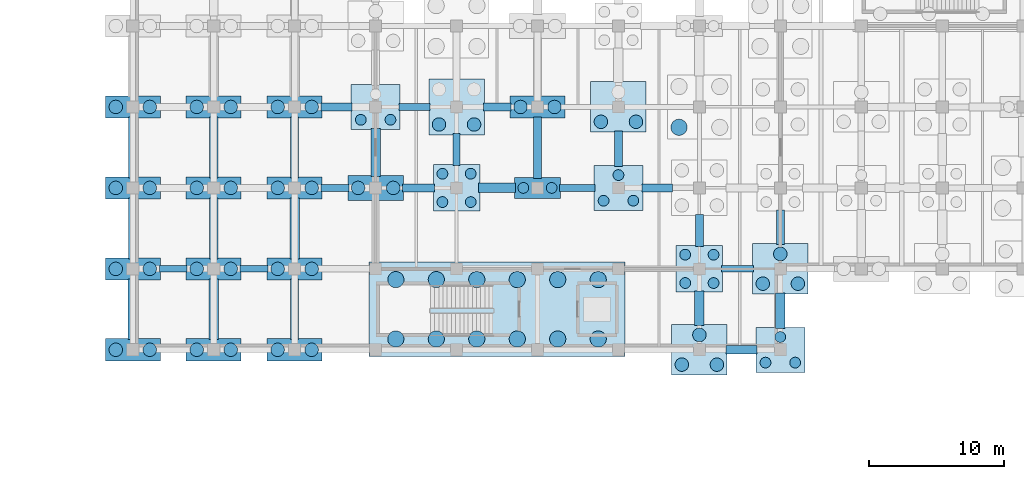
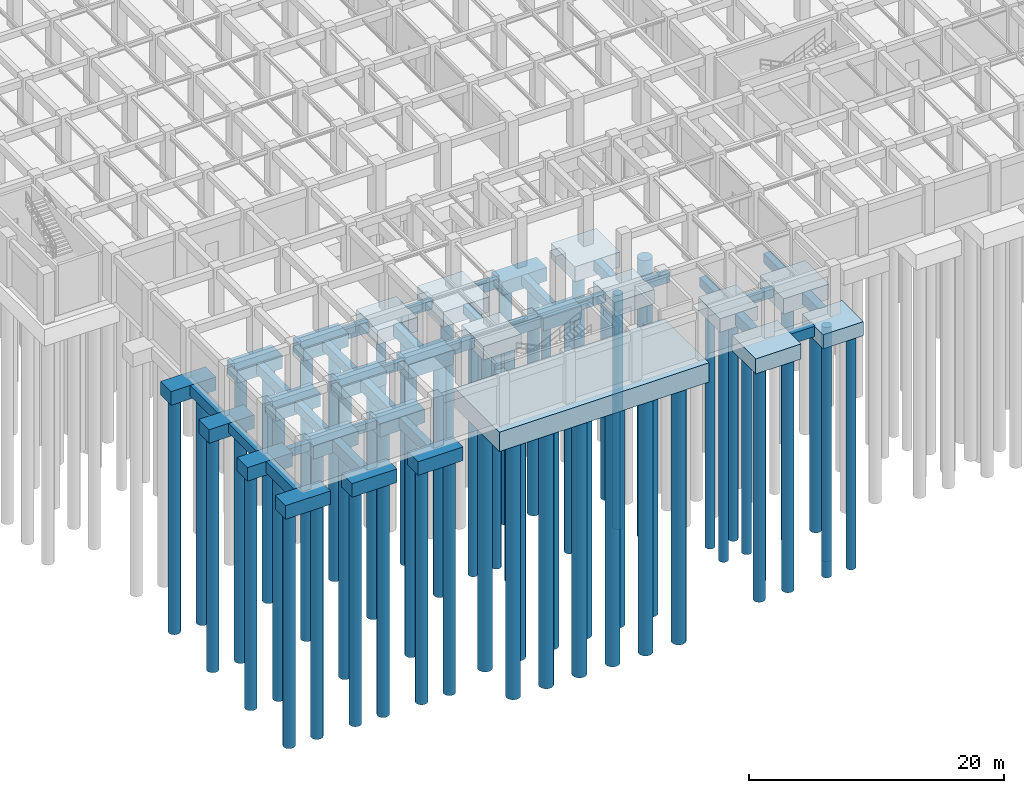
# One storey, part 1 of 54: 69 piles, 54 footings.
"""IFC4 building model written with IfcOpenShell, lengths in metres."""

from ifc_helpers import new_model, si_unit, direction, frame, origin, origin_2d, place, context, subcontext, project, spatial, rectangle, circle, extrude, material, material_profile, profile_set, type_object, element, save


model = new_model("IFC4")

# Units and contexts
model_context = context("Model", 3, precision=1e-05, world=origin(), true_north=direction((0.0, 1.0)))
body_context = subcontext(model_context, "Body", "Model", "MODEL_VIEW")
ifc_project = project(units=[si_unit("LENGTHUNIT", "METRE"), si_unit("AREAUNIT", "SQUARE_METRE"), si_unit("VOLUMEUNIT", "CUBIC_METRE"), si_unit("PLANEANGLEUNIT", "RADIAN"), si_unit("MASSUNIT", "GRAM", prefix="KILO"), si_unit("THERMODYNAMICTEMPERATUREUNIT", "KELVIN"), si_unit("POWERUNIT", "WATT")], contexts=[model_context])

# Site, building, storey
site_placement = place(None, origin())
site = spatial("IfcSite", under=ifc_project, at=site_placement, CompositionType="ELEMENT")
building_placement = place(site_placement, origin())
building = spatial("IfcBuilding", under=site, at=building_placement, Name="Phaisarnlok Congress Hotel", CompositionType="ELEMENT")
storey_placement = place(building_placement, frame((0.0, 0.0, -4.800048828125)))
storey = spatial("IfcBuildingStorey", under=building, at=storey_placement, Name="B01", CompositionType="ELEMENT", Elevation=-4.800048828125)

# Footings
ifc_material_1 = material(Name="Concrete C40/50", Category="concrete")
footing_type_1 = type_object("IfcFootingType", Name="CAP-2P-A", PredefinedType="PILE_CAP", material=ifc_material_1)
footing_1_placement = place(storey_placement, frame((36.0, 24.0, -1.69970703125), z_axis=(0.0, 0.0, 1.0), x_axis=(1.0, 0.0, 0.0)))
element("IfcFooting", 1, at=footing_1_placement, inside=storey, type_object=footing_type_1, Name="Pile cap PC-01 at (36,24)", PredefinedType="PILE_CAP", context=body_context, shape_type="SweptSolid", body=[
    extrude(rectangle(XDim=3.43994140625, YDim=1.5400390625, at=origin_2d()), origin(), (0.0, 0.0, 1.0), 1.199951171875),
])
footing_type_2 = type_object("IfcFootingType", Name="CAP-2P-B", PredefinedType="PILE_CAP", material=ifc_material_1)
for number, where, z_axis, x_axis, name in (
    (2, (6.0, 12.0, -1.7998046875), (0.0, 0.0, 1.0), (1.0, 0.0, 0.0), "Pile cap PC-02 at (6,12)"),
    (3, (6.0, 18.0, -1.7998046875), (0.0, 0.0, 1.0), (1.0, 0.0, 0.0), "Pile cap PC-02 at (6,18)"),
    (4, (6.0, 24.0, -1.7998046875), (0.0, 0.0, 1.0), (1.0, 0.0, 0.0), "Pile cap PC-02 at (6,24)"),
    (5, (6.0, 30.0, -1.7998046875), (0.0, 0.0, 1.0), (1.0, 0.0, 0.0), "Pile cap PC-02 at (6,30)"),
    (6, (12.0, 12.0, -1.7998046875), (0.0, 0.0, 1.0), (1.0, 0.0, 0.0), "Pile cap PC-02 at (12,12)"),
    (7, (12.0, 18.0, -1.7998046875), (0.0, 0.0, 1.0), (1.0, 0.0, 0.0), "Pile cap PC-02 at (12,18)"),
    (8, (12.0, 24.0, -1.7998046875), (0.0, 0.0, 1.0), (1.0, 0.0, 0.0), "Pile cap PC-02 at (12,24)"),
    (9, (12.0, 30.0, -1.7998046875), (0.0, 0.0, 1.0), (1.0, 0.0, 0.0), "Pile cap PC-02 at (12,30)"),
    (10, (18.0, 12.0, -1.7998046875), (0.0, 0.0, 1.0), (1.0, 0.0, 0.0), "Pile cap PC-02 at (18,12)"),
    (11, (18.0, 18.0, -1.7998046875), (0.0, 0.0, 1.0), (1.0, 0.0, 0.0), "Pile cap PC-02 at (18,18)"),
    (12, (18.0, 24.0, -1.7998046875), (0.0, 0.0, 1.0), (1.0, 0.0, 0.0), "Pile cap PC-02 at (18,24)"),
    (13, (18.0, 30.0, -1.7998046875), (0.0, 0.0, 1.0), (1.0, 0.0, 0.0), "Pile cap PC-02 at (18,30)"),
    (14, (36.0, 30.0, -1.7998046875), (0.0, 0.0, 1.0), (1.0, 0.0, 0.0), "Pile cap PC-02 at (36,30)"),
):
    element("IfcFooting", number, at=place(storey_placement, frame(where, z_axis=z_axis, x_axis=x_axis)), inside=storey, type_object=footing_type_2, Name=name, PredefinedType="PILE_CAP", context=body_context, shape_type="SweptSolid", body=[
        extrude(rectangle(XDim=4.080078125, YDim=1.639892578125, at=origin_2d()), origin(), (0.0, 0.0, 1.0), 1.300048828125),
    ])
footing_type_3 = type_object("IfcFootingType", Name="CAP-2P-C", PredefinedType="PILE_CAP", material=ifc_material_1)
footing_2_placement = place(storey_placement, frame((24.0, 24.0, -1.89990234375), z_axis=(0.0, 0.0, 1.0), x_axis=(1.0, 0.0, 0.0)))
element("IfcFooting", 15, at=footing_2_placement, inside=storey, type_object=footing_type_3, Name="Pile cap PC-03 at (24,24)", PredefinedType="PILE_CAP", context=body_context, shape_type="SweptSolid", body=[
    extrude(rectangle(XDim=4.1201171875, YDim=1.840087890625, at=origin_2d()), origin(), (0.0, 0.0, 1.0), 1.39990234375),
])
footing_type_4 = type_object("IfcFootingType", Name="CAP-3P-A", PredefinedType="PILE_CAP", material=ifc_material_1)
for number, where, z_axis, x_axis, name in (
    (16, (24.0, 30.0, -1.85009765625), (0.0, 0.0, 1.0), (1.0, 0.0, 0.0), "Pile cap PC-04 at (24,30)"),
    (17, (42.0, 24.0, -1.85009765625), (0.0, 0.0, 1.0), (1.0, 0.0, 0.0), "Pile cap PC-04 at (42,24)"),
    (18, (54.0, 12.0, -1.85009765625), (0.0, 0.0, 1.0), (1.0, 0.0, 0.0), "Pile cap PC-04 at (54,12)"),
):
    element("IfcFooting", number, at=place(storey_placement, frame(where, z_axis=z_axis, x_axis=x_axis)), inside=storey, type_object=footing_type_4, Name=name, PredefinedType="PILE_CAP", context=body_context, shape_type="SweptSolid", body=[
        extrude(rectangle(XDim=3.639892578125, YDim=3.340087890625, at=origin_2d()), origin(), (0.0, 0.0, 1.0), 1.35009765625),
    ])
footing_type_5 = type_object("IfcFootingType", Name="CAP-3P-B", PredefinedType="PILE_CAP", material=ifc_material_1)
for number, where, z_axis, x_axis, name in (
    (19, (42.0, 30.0, -1.94970703125), (0.0, 0.0, 1.0), (1.0, 0.0, 0.0), "Pile cap PC-05 at (42,30)"),
    (20, (48.0, 12.0, -1.94970703125), (0.0, 0.0, 1.0), (1.0, 0.0, 0.0), "Pile cap PC-05 at (48,12)"),
    (21, (54.0, 18.0, -1.94970703125), (0.0, 0.0, 1.0), (1.0, 0.0, 0.0), "Pile cap PC-05 at (54,18)"),
):
    element("IfcFooting", number, at=place(storey_placement, frame(where, z_axis=z_axis, x_axis=x_axis)), inside=storey, type_object=footing_type_5, Name=name, PredefinedType="PILE_CAP", context=body_context, shape_type="SweptSolid", body=[
        extrude(rectangle(XDim=4.1201171875, YDim=3.739990234375, at=origin_2d()), origin(), (0.0, 0.0, 1.0), 1.449951171875),
    ])
footing_type_6 = type_object("IfcFootingType", Name="CAP-4P-A", PredefinedType="PILE_CAP", material=ifc_material_1)
for number, where, z_axis, x_axis, name in (
    (22, (30.0, 24.0, -1.7998046875), (0.0, 0.0, 1.0), (1.0, 0.0, 0.0), "Pile cap PC-06 at (30,24)"),
    (23, (48.0, 18.0, -1.7998046875), (0.0, 0.0, 1.0), (1.0, 0.0, 0.0), "Pile cap PC-06 at (48,18)"),
):
    element("IfcFooting", number, at=place(storey_placement, frame(where, z_axis=z_axis, x_axis=x_axis)), inside=storey, type_object=footing_type_6, Name=name, PredefinedType="PILE_CAP", context=body_context, shape_type="SweptSolid", body=[
        extrude(rectangle(XDim=3.43994140625, YDim=3.43994140625, at=origin_2d()), origin(), (0.0, 0.0, 1.0), 1.300048828125),
    ])
footing_type_7 = type_object("IfcFootingType", Name="CAP-4P-B", PredefinedType="PILE_CAP", material=ifc_material_1)
footing_3_placement = place(storey_placement, frame((30.0, 30.0, -1.94970703125), z_axis=(0.0, 0.0, 1.0), x_axis=(1.0, 0.0, 0.0)))
element("IfcFooting", 24, at=footing_3_placement, inside=storey, type_object=footing_type_7, Name="Pile cap PC-07 at (30,30)", PredefinedType="PILE_CAP", context=body_context, shape_type="SweptSolid", body=[
    extrude(rectangle(XDim=4.1201171875, YDim=4.1201171875, at=origin_2d()), origin(), (0.0, 0.0, 1.0), 1.449951171875),
])
footing_type_8 = type_object("IfcFootingType", Name="CAP-CORE-H", PredefinedType="PILE_CAP", material=ifc_material_1)
footing_4_placement = place(storey_placement, frame((33.0, 15.0, -2.35009765625), z_axis=(0.0, 0.0, 1.0), x_axis=(1.0, 0.0, 0.0)))
element("IfcFooting", 25, at=footing_4_placement, inside=storey, type_object=footing_type_8, Name="Stair core pile cap PC-15 (STAIR-MRT)", PredefinedType="PILE_CAP", context=body_context, shape_type="SweptSolid", body=[
    extrude(rectangle(XDim=19.0, YDim=7.0, at=origin_2d()), origin(), (0.0, 0.0, 1.0), 1.85009765625),
])
ifc_material_profile_1 = material_profile(ifc_material_1, rectangle(XDim=0.5, YDim=0.800048828125, at=origin_2d()), Name="FB-500x800")
ifc_profile_set_1 = profile_set([ifc_material_profile_1], Name="Concrete C40/50")
footing_type_9 = type_object("IfcFootingType", Name="FB-500x800", PredefinedType="FOOTING_BEAM", material=ifc_profile_set_1)
for number, where, z_axis, x_axis, name in (
    (26, (7.965087890625, 18.0, -0.89990234375), (1.0, 0.0, 0.0), (0.0, 1.0, 0.0), "Ground tie beam FB-01"),
    (27, (13.965087890625, 18.0, -0.89990234375), (1.0, 0.0, 0.0), (0.0, 1.0, 0.0), "Ground tie beam FB-01"),
):
    element("IfcFooting", number, at=place(storey_placement, frame(where, z_axis=z_axis, x_axis=x_axis)), inside=storey, type_object=footing_type_9, Name=name, PredefinedType="FOOTING_BEAM", context=body_context, shape_type="SweptSolid", body=[
        extrude(rectangle(XDim=0.5, YDim=0.800048828125, at=origin_2d()), origin(), (0.0, 0.0, 1.0), 2.06982421875),
    ])
footing_5_placement = place(storey_placement, frame((19.965087890625, 24.0, -0.89990234375), z_axis=(1.0, 0.0, 0.0), x_axis=(0.0, 1.0, 0.0)))
element("IfcFooting", 28, at=footing_5_placement, inside=storey, type_object=footing_type_9, Name="Ground tie beam FB-01", PredefinedType="FOOTING_BEAM", context=body_context, shape_type="SweptSolid", body=[
    extrude(rectangle(XDim=0.5, YDim=0.800048828125, at=origin_2d()), origin(), (0.0, 0.0, 1.0), 2.0498046875),
])
footing_6_placement = place(storey_placement, frame((25.7451171875, 30.0, -0.89990234375), z_axis=(1.0, 0.0, 0.0), x_axis=(0.0, 1.0, 0.0)))
element("IfcFooting", 29, at=footing_6_placement, inside=storey, type_object=footing_type_9, Name="Ground tie beam FB-01", PredefinedType="FOOTING_BEAM", context=body_context, shape_type="SweptSolid", body=[
    extrude(rectangle(XDim=0.5, YDim=0.800048828125, at=origin_2d()), origin(), (0.0, 0.0, 1.0), 2.269775390625),
])
footing_7_placement = place(storey_placement, frame((30.0, 25.64501953125, -0.89990234375), z_axis=(0.0, 1.0, 0.0), x_axis=(-1.0, 0.0, 0.0)))
element("IfcFooting", 30, at=footing_7_placement, inside=storey, type_object=footing_type_9, Name="Ground tie beam FB-01", PredefinedType="FOOTING_BEAM", context=body_context, shape_type="SweptSolid", body=[
    extrude(rectangle(XDim=0.5, YDim=0.800048828125, at=origin_2d()), origin(), (0.0, 0.0, 1.0), 2.369873046875),
])
footing_8_placement = place(storey_placement, frame((37.64501953125, 24.0, -0.89990234375), z_axis=(1.0, 0.0, 0.0), x_axis=(0.0, 1.0, 0.0)))
element("IfcFooting", 31, at=footing_8_placement, inside=storey, type_object=footing_type_9, Name="Ground tie beam FB-01", PredefinedType="FOOTING_BEAM", context=body_context, shape_type="SweptSolid", body=[
    extrude(rectangle(XDim=0.5, YDim=0.800048828125, at=origin_2d()), origin(), (0.0, 0.0, 1.0), 2.60986328125),
])
footing_9_placement = place(storey_placement, frame((49.64501953125, 18.0, -0.89990234375), z_axis=(1.0, 0.0, 0.0), x_axis=(0.0, 1.0, 0.0)))
element("IfcFooting", 32, at=footing_9_placement, inside=storey, type_object=footing_type_9, Name="Ground tie beam FB-01", PredefinedType="FOOTING_BEAM", context=body_context, shape_type="SweptSolid", body=[
    extrude(rectangle(XDim=0.5, YDim=0.800048828125, at=origin_2d()), origin(), (0.0, 0.0, 1.0), 2.369873046875),
])
ifc_material_profile_2 = material_profile(ifc_material_1, rectangle(XDim=0.60009765625, YDim=1.0, at=origin_2d()), Name="FB-600x1000")
ifc_profile_set_2 = profile_set([ifc_material_profile_2], Name="Concrete C40/50")
footing_type_10 = type_object("IfcFootingType", Name="FB-600x1000", PredefinedType="FOOTING_BEAM", material=ifc_profile_set_2)
for number, where, z_axis, x_axis, name in (
    (33, (6.0, 24.7451171875, -1.0), (0.0, 1.0, 0.0), (-1.0, 0.0, 0.0), "Ground tie beam FB-03"),
    (34, (12.0, 24.7451171875, -1.0), (0.0, 1.0, 0.0), (-1.0, 0.0, 0.0), "Ground tie beam FB-03"),
    (35, (18.0, 12.7451171875, -1.0), (0.0, 1.0, 0.0), (-1.0, 0.0, 0.0), "Ground tie beam FB-03"),
):
    element("IfcFooting", number, at=place(storey_placement, frame(where, z_axis=z_axis, x_axis=x_axis)), inside=storey, type_object=footing_type_10, Name=name, PredefinedType="FOOTING_BEAM", context=body_context, shape_type="SweptSolid", body=[
        extrude(rectangle(XDim=0.60009765625, YDim=1.0, at=origin_2d()), origin(), (0.0, 0.0, 1.0), 4.509765625),
    ])
footing_10_placement = place(storey_placement, frame((19.965087890625, 30.0, -1.0), z_axis=(1.0, 0.0, 0.0), x_axis=(0.0, 1.0, 0.0)))
element("IfcFooting", 36, at=footing_10_placement, inside=storey, type_object=footing_type_10, Name="Ground tie beam FB-03", PredefinedType="FOOTING_BEAM", context=body_context, shape_type="SweptSolid", body=[
    extrude(rectangle(XDim=0.60009765625, YDim=1.0, at=origin_2d()), origin(), (0.0, 0.0, 1.0), 2.289794921875),
])
footing_11_placement = place(storey_placement, frame((25.985107421875, 24.0, -1.0), z_axis=(1.0, 0.0, 0.0), x_axis=(0.0, 1.0, 0.0)))
element("IfcFooting", 37, at=footing_11_placement, inside=storey, type_object=footing_type_10, Name="Ground tie beam FB-03", PredefinedType="FOOTING_BEAM", context=body_context, shape_type="SweptSolid", body=[
    extrude(rectangle(XDim=0.60009765625, YDim=1.0, at=origin_2d()), origin(), (0.0, 0.0, 1.0), 2.369873046875),
])
footing_12_placement = place(storey_placement, frame((42.0, 25.594970703125, -1.0), z_axis=(0.0, 1.0, 0.0), x_axis=(-1.0, 0.0, 0.0)))
element("IfcFooting", 38, at=footing_12_placement, inside=storey, type_object=footing_type_10, Name="Ground tie beam FB-03", PredefinedType="FOOTING_BEAM", context=body_context, shape_type="SweptSolid", body=[
    extrude(rectangle(XDim=0.60009765625, YDim=1.0, at=origin_2d()), origin(), (0.0, 0.0, 1.0), 2.610107421875),
])
footing_13_placement = place(storey_placement, frame((49.985107421875, 12.0, -1.0), z_axis=(1.0, 0.0, 0.0), x_axis=(0.0, 1.0, 0.0)))
element("IfcFooting", 39, at=footing_13_placement, inside=storey, type_object=footing_type_10, Name="Ground tie beam FB-03", PredefinedType="FOOTING_BEAM", context=body_context, shape_type="SweptSolid", body=[
    extrude(rectangle(XDim=0.60009765625, YDim=1.0, at=origin_2d()), origin(), (0.0, 0.0, 1.0), 2.269775390625),
])
ifc_material_profile_3 = material_profile(ifc_material_1, rectangle(XDim=0.60009765625, YDim=0.89990234375, at=origin_2d()), Name="FB-600x900")
ifc_profile_set_3 = profile_set([ifc_material_profile_3], Name="Concrete C40/50")
footing_type_11 = type_object("IfcFootingType", Name="FB-600x900", PredefinedType="FOOTING_BEAM", material=ifc_profile_set_3)
for number, where, z_axis, x_axis, name in (
    (40, (6.0, 18.7451171875, -0.949951171875), (0.0, 1.0, 0.0), (-1.0, 0.0, 0.0), "Ground tie beam FB-02"),
    (41, (12.0, 18.7451171875, -0.949951171875), (0.0, 1.0, 0.0), (-1.0, 0.0, 0.0), "Ground tie beam FB-02"),
    (42, (18.0, 24.7451171875, -0.949951171875), (0.0, 1.0, 0.0), (-1.0, 0.0, 0.0), "Ground tie beam FB-02"),
):
    element("IfcFooting", number, at=place(storey_placement, frame(where, z_axis=z_axis, x_axis=x_axis)), inside=storey, type_object=footing_type_11, Name=name, PredefinedType="FOOTING_BEAM", context=body_context, shape_type="SweptSolid", body=[
        extrude(rectangle(XDim=0.60009765625, YDim=0.89990234375, at=origin_2d()), origin(), (0.0, 0.0, 1.0), 4.509765625),
    ])
footing_14_placement = place(storey_placement, frame((31.985107421875, 30.0, -0.949951171875), z_axis=(1.0, 0.0, 0.0), x_axis=(0.0, 1.0, 0.0)))
element("IfcFooting", 43, at=footing_14_placement, inside=storey, type_object=footing_type_11, Name="Ground tie beam FB-02", PredefinedType="FOOTING_BEAM", context=body_context, shape_type="SweptSolid", body=[
    extrude(rectangle(XDim=0.60009765625, YDim=0.89990234375, at=origin_2d()), origin(), (0.0, 0.0, 1.0), 2.0498046875),
])
footing_15_placement = place(storey_placement, frame((36.0, 24.695068359375, -0.949951171875), z_axis=(0.0, 1.0, 0.0), x_axis=(-1.0, 0.0, 0.0)))
element("IfcFooting", 44, at=footing_15_placement, inside=storey, type_object=footing_type_11, Name="Ground tie beam FB-02", PredefinedType="FOOTING_BEAM", context=body_context, shape_type="SweptSolid", body=[
    extrude(rectangle(XDim=0.60009765625, YDim=0.89990234375, at=origin_2d()), origin(), (0.0, 0.0, 1.0), 4.559814453125),
])
footing_16_placement = place(storey_placement, frame((43.7451171875, 24.0, -0.949951171875), z_axis=(1.0, 0.0, 0.0), x_axis=(0.0, 1.0, 0.0)))
element("IfcFooting", 45, at=footing_16_placement, inside=storey, type_object=footing_type_11, Name="Ground tie beam FB-02", PredefinedType="FOOTING_BEAM", context=body_context, shape_type="SweptSolid", body=[
    extrude(rectangle(XDim=0.60009765625, YDim=0.89990234375, at=origin_2d()), origin(), (0.0, 0.0, 1.0), 2.269775390625),
])
footing_17_placement = place(storey_placement, frame((48.0, 19.64501953125, -0.949951171875), z_axis=(0.0, 1.0, 0.0), x_axis=(-1.0, 0.0, 0.0)))
element("IfcFooting", 46, at=footing_17_placement, inside=storey, type_object=footing_type_11, Name="Ground tie beam FB-02", PredefinedType="FOOTING_BEAM", context=body_context, shape_type="SweptSolid", body=[
    extrude(rectangle(XDim=0.60009765625, YDim=0.89990234375, at=origin_2d()), origin(), (0.0, 0.0, 1.0), 2.369873046875),
])
footing_18_placement = place(storey_placement, frame((54.0, 19.794921875, -0.949951171875), z_axis=(0.0, 1.0, 0.0), x_axis=(-1.0, 0.0, 0.0)))
element("IfcFooting", 47, at=footing_18_placement, inside=storey, type_object=footing_type_11, Name="Ground tie beam FB-02", PredefinedType="FOOTING_BEAM", context=body_context, shape_type="SweptSolid", body=[
    extrude(rectangle(XDim=0.60009765625, YDim=0.89990234375, at=origin_2d()), origin(), (0.0, 0.0, 1.0), 2.56005859375),
])
ifc_material_profile_4 = material_profile(ifc_material_1, rectangle(XDim=0.699951171875, YDim=1.10009765625, at=origin_2d()), Name="FB-700x1100")
ifc_profile_set_4 = profile_set([ifc_material_profile_4], Name="Concrete C40/50")
footing_type_12 = type_object("IfcFootingType", Name="FB-700x1100", PredefinedType="FOOTING_BEAM", material=ifc_profile_set_4)
for number, where, z_axis, x_axis, name in (
    (48, (6.0, 12.7451171875, -1.050048828125), (0.0, 1.0, 0.0), (-1.0, 0.0, 0.0), "Ground tie beam FB-04"),
    (49, (12.0, 12.7451171875, -1.050048828125), (0.0, 1.0, 0.0), (-1.0, 0.0, 0.0), "Ground tie beam FB-04"),
    (50, (18.0, 18.7451171875, -1.050048828125), (0.0, 1.0, 0.0), (-1.0, 0.0, 0.0), "Ground tie beam FB-04"),
):
    element("IfcFooting", number, at=place(storey_placement, frame(where, z_axis=z_axis, x_axis=x_axis)), inside=storey, type_object=footing_type_12, Name=name, PredefinedType="FOOTING_BEAM", context=body_context, shape_type="SweptSolid", body=[
        extrude(rectangle(XDim=0.699951171875, YDim=1.10009765625, at=origin_2d()), origin(), (0.0, 0.0, 1.0), 4.509765625),
    ])
footing_19_placement = place(storey_placement, frame((24.0, 24.844970703125, -1.050048828125), z_axis=(0.0, 1.0, 0.0), x_axis=(-1.0, 0.0, 0.0)))
element("IfcFooting", 51, at=footing_19_placement, inside=storey, type_object=footing_type_12, Name="Ground tie beam FB-04", PredefinedType="FOOTING_BEAM", context=body_context, shape_type="SweptSolid", body=[
    extrude(rectangle(XDim=0.699951171875, YDim=1.10009765625, at=origin_2d()), origin(), (0.0, 0.0, 1.0), 3.56005859375),
])
footing_20_placement = place(storey_placement, frame((31.64501953125, 24.0, -1.050048828125), z_axis=(1.0, 0.0, 0.0), x_axis=(0.0, 1.0, 0.0)))
element("IfcFooting", 52, at=footing_20_placement, inside=storey, type_object=footing_type_12, Name="Ground tie beam FB-04", PredefinedType="FOOTING_BEAM", context=body_context, shape_type="SweptSolid", body=[
    extrude(rectangle(XDim=0.699951171875, YDim=1.10009765625, at=origin_2d()), origin(), (0.0, 0.0, 1.0), 2.7099609375),
])
footing_21_placement = place(storey_placement, frame((48.0, 13.794921875, -1.050048828125), z_axis=(0.0, 1.0, 0.0), x_axis=(-1.0, 0.0, 0.0)))
element("IfcFooting", 53, at=footing_21_placement, inside=storey, type_object=footing_type_12, Name="Ground tie beam FB-04", PredefinedType="FOOTING_BEAM", context=body_context, shape_type="SweptSolid", body=[
    extrude(rectangle(XDim=0.699951171875, YDim=1.10009765625, at=origin_2d()), origin(), (0.0, 0.0, 1.0), 2.56005859375),
])
footing_22_placement = place(storey_placement, frame((54.0, 13.594970703125, -1.050048828125), z_axis=(0.0, 1.0, 0.0), x_axis=(-1.0, 0.0, 0.0)))
element("IfcFooting", 54, at=footing_22_placement, inside=storey, type_object=footing_type_12, Name="Ground tie beam FB-04", PredefinedType="FOOTING_BEAM", context=body_context, shape_type="SweptSolid", body=[
    extrude(rectangle(XDim=0.699951171875, YDim=1.10009765625, at=origin_2d()), origin(), (0.0, 0.0, 1.0), 2.610107421875),
])

# Piles
ifc_material_2 = material(Name="Concrete C35/45", Category="concrete")
ifc_material_profile_5 = material_profile(ifc_material_2, circle(Radius=0.5, at=origin_2d()), Name="BORED PILE D1000")
ifc_profile_set_5 = profile_set([ifc_material_profile_5], Name="Concrete C35/45")
pile_type_1 = type_object("IfcPileType", Name="PILE-D1000", PredefinedType="BORED", material=ifc_profile_set_5)
for number, where, z_axis, x_axis, name in (
    (55, (4.739990234375, 12.0, -1.699951171875), (0.0, 0.0, -1.0), (1.0, 0.0, 0.0), "Bored pile PL-02 (FTG-B01-006-012-1)"),
    (56, (7.260009765625, 12.0, -1.699951171875), (0.0, 0.0, -1.0), (1.0, 0.0, 0.0), "Bored pile PL-02 (FTG-B01-006-012-2)"),
    (57, (4.739990234375, 18.0, -1.699951171875), (0.0, 0.0, -1.0), (1.0, 0.0, 0.0), "Bored pile PL-02 (FTG-B01-006-018-1)"),
    (58, (7.260009765625, 18.0, -1.699951171875), (0.0, 0.0, -1.0), (1.0, 0.0, 0.0), "Bored pile PL-02 (FTG-B01-006-018-2)"),
    (59, (4.739990234375, 24.0, -1.699951171875), (0.0, 0.0, -1.0), (1.0, 0.0, 0.0), "Bored pile PL-02 (FTG-B01-006-024-1)"),
    (60, (7.260009765625, 24.0, -1.699951171875), (0.0, 0.0, -1.0), (1.0, 0.0, 0.0), "Bored pile PL-02 (FTG-B01-006-024-2)"),
    (61, (4.739990234375, 30.0, -1.699951171875), (0.0, 0.0, -1.0), (1.0, 0.0, 0.0), "Bored pile PL-02 (FTG-B01-006-030-1)"),
    (62, (7.260009765625, 30.0, -1.699951171875), (0.0, 0.0, -1.0), (1.0, 0.0, 0.0), "Bored pile PL-02 (FTG-B01-006-030-2)"),
    (63, (10.739990234375, 12.0, -1.699951171875), (0.0, 0.0, -1.0), (1.0, 0.0, 0.0), "Bored pile PL-02 (FTG-B01-012-012-1)"),
    (64, (13.260009765625, 12.0, -1.699951171875), (0.0, 0.0, -1.0), (1.0, 0.0, 0.0), "Bored pile PL-02 (FTG-B01-012-012-2)"),
    (65, (10.739990234375, 18.0, -1.699951171875), (0.0, 0.0, -1.0), (1.0, 0.0, 0.0), "Bored pile PL-02 (FTG-B01-012-018-1)"),
    (66, (13.260009765625, 18.0, -1.699951171875), (0.0, 0.0, -1.0), (1.0, 0.0, 0.0), "Bored pile PL-02 (FTG-B01-012-018-2)"),
    (67, (10.739990234375, 24.0, -1.699951171875), (0.0, 0.0, -1.0), (1.0, 0.0, 0.0), "Bored pile PL-02 (FTG-B01-012-024-1)"),
    (68, (13.260009765625, 24.0, -1.699951171875), (0.0, 0.0, -1.0), (1.0, 0.0, 0.0), "Bored pile PL-02 (FTG-B01-012-024-2)"),
    (69, (10.739990234375, 30.0, -1.699951171875), (0.0, 0.0, -1.0), (1.0, 0.0, 0.0), "Bored pile PL-02 (FTG-B01-012-030-1)"),
    (70, (13.260009765625, 30.0, -1.699951171875), (0.0, 0.0, -1.0), (1.0, 0.0, 0.0), "Bored pile PL-02 (FTG-B01-012-030-2)"),
    (71, (16.739990234375, 12.0, -1.699951171875), (0.0, 0.0, -1.0), (1.0, 0.0, 0.0), "Bored pile PL-02 (FTG-B01-018-012-1)"),
    (72, (19.260009765625, 12.0, -1.699951171875), (0.0, 0.0, -1.0), (1.0, 0.0, 0.0), "Bored pile PL-02 (FTG-B01-018-012-2)"),
    (73, (16.739990234375, 18.0, -1.699951171875), (0.0, 0.0, -1.0), (1.0, 0.0, 0.0), "Bored pile PL-02 (FTG-B01-018-018-1)"),
    (74, (19.260009765625, 18.0, -1.699951171875), (0.0, 0.0, -1.0), (1.0, 0.0, 0.0), "Bored pile PL-02 (FTG-B01-018-018-2)"),
    (75, (16.739990234375, 24.0, -1.699951171875), (0.0, 0.0, -1.0), (1.0, 0.0, 0.0), "Bored pile PL-02 (FTG-B01-018-024-1)"),
    (76, (19.260009765625, 24.0, -1.699951171875), (0.0, 0.0, -1.0), (1.0, 0.0, 0.0), "Bored pile PL-02 (FTG-B01-018-024-2)"),
    (77, (16.739990234375, 30.0, -1.699951171875), (0.0, 0.0, -1.0), (1.0, 0.0, 0.0), "Bored pile PL-02 (FTG-B01-018-030-1)"),
    (78, (19.260009765625, 30.0, -1.699951171875), (0.0, 0.0, -1.0), (1.0, 0.0, 0.0), "Bored pile PL-02 (FTG-B01-018-030-2)"),
):
    element("IfcPile", number, at=place(storey_placement, frame(where, z_axis=z_axis, x_axis=x_axis)), inside=storey, type_object=pile_type_1, Name=name, PredefinedType="BORED", context=body_context, shape_type="SweptSolid", body=[
        extrude(circle(Radius=0.5, at=origin_2d()), origin(), (0.0, 0.0, 1.0), 22.5),
    ])
for number, where, z_axis, x_axis, name in (
    (79, (22.699951171875, 24.0, -1.800048828125), (0.0, 0.0, -1.0), (1.0, 0.0, 0.0), "Bored pile PL-02 (FTG-B01-024-024-1)"),
    (80, (25.300048828125, 24.0, -1.800048828125), (0.0, 0.0, -1.0), (1.0, 0.0, 0.0), "Bored pile PL-02 (FTG-B01-024-024-2)"),
):
    element("IfcPile", number, at=place(storey_placement, frame(where, z_axis=z_axis, x_axis=x_axis)), inside=storey, type_object=pile_type_1, Name=name, PredefinedType="BORED", context=body_context, shape_type="SweptSolid", body=[
        extrude(circle(Radius=0.5, at=origin_2d()), origin(), (0.0, 0.0, 1.0), 22.39990234375),
    ])
for number, where, z_axis, x_axis, name in (
    (81, (28.699951171875, 28.699951171875, -1.849853515625), (0.0, 0.0, -1.0), (1.0, 0.0, 0.0), "Bored pile PL-02 (FTG-B01-030-030-1)"),
    (82, (31.300048828125, 28.699951171875, -1.849853515625), (0.0, 0.0, -1.0), (1.0, 0.0, 0.0), "Bored pile PL-02 (FTG-B01-030-030-2)"),
):
    element("IfcPile", number, at=place(storey_placement, frame(where, z_axis=z_axis, x_axis=x_axis)), inside=storey, type_object=pile_type_1, Name=name, PredefinedType="BORED", context=body_context, shape_type="SweptSolid", body=[
        extrude(circle(Radius=0.5, at=origin_2d()), origin(), (0.0, 0.0, 1.0), 22.35009765625),
    ])
for number, where, z_axis, x_axis, name in (
    (83, (34.739990234375, 30.0, -1.699951171875), (0.0, 0.0, -1.0), (1.0, 0.0, 0.0), "Bored pile PL-02 (FTG-B01-036-030-1)"),
    (84, (37.260009765625, 30.0, -1.699951171875), (0.0, 0.0, -1.0), (1.0, 0.0, 0.0), "Bored pile PL-02 (FTG-B01-036-030-2)"),
):
    element("IfcPile", number, at=place(storey_placement, frame(where, z_axis=z_axis, x_axis=x_axis)), inside=storey, type_object=pile_type_1, Name=name, PredefinedType="BORED", context=body_context, shape_type="SweptSolid", body=[
        extrude(circle(Radius=0.5, at=origin_2d()), origin(), (0.0, 0.0, 1.0), 22.5),
    ])
for number, where, z_axis, x_axis, name in (
    (85, (40.699951171875, 28.89990234375, -1.849853515625), (0.0, 0.0, -1.0), (1.0, 0.0, 0.0), "Bored pile PL-02 (FTG-B01-042-030-1)"),
    (86, (43.300048828125, 28.89990234375, -1.849853515625), (0.0, 0.0, -1.0), (1.0, 0.0, 0.0), "Bored pile PL-02 (FTG-B01-042-030-2)"),
    (87, (46.699951171875, 10.89990234375, -1.849853515625), (0.0, 0.0, -1.0), (1.0, 0.0, 0.0), "Bored pile PL-02 (FTG-B01-048-012-1)"),
    (88, (49.300048828125, 10.89990234375, -1.849853515625), (0.0, 0.0, -1.0), (1.0, 0.0, 0.0), "Bored pile PL-02 (FTG-B01-048-012-2)"),
    (89, (48.0, 13.10009765625, -1.849853515625), (0.0, 0.0, -1.0), (1.0, 0.0, 0.0), "Bored pile PL-02 (FTG-B01-048-012-3)"),
    (90, (52.699951171875, 16.89990234375, -1.849853515625), (0.0, 0.0, -1.0), (1.0, 0.0, 0.0), "Bored pile PL-02 (FTG-B01-054-018-1)"),
    (91, (55.300048828125, 16.89990234375, -1.849853515625), (0.0, 0.0, -1.0), (1.0, 0.0, 0.0), "Bored pile PL-02 (FTG-B01-054-018-2)"),
    (92, (54.0, 19.10009765625, -1.849853515625), (0.0, 0.0, -1.0), (1.0, 0.0, 0.0), "Bored pile PL-02 (FTG-B01-054-018-3)"),
):
    element("IfcPile", number, at=place(storey_placement, frame(where, z_axis=z_axis, x_axis=x_axis)), inside=storey, type_object=pile_type_1, Name=name, PredefinedType="BORED", context=body_context, shape_type="SweptSolid", body=[
        extrude(circle(Radius=0.5, at=origin_2d()), origin(), (0.0, 0.0, 1.0), 22.35009765625),
    ])
ifc_material_profile_6 = material_profile(ifc_material_2, circle(Radius=0.60009765625, at=origin_2d()), Name="BORED PILE D1200")
ifc_profile_set_6 = profile_set([ifc_material_profile_6], Name="Concrete C35/45")
pile_type_2 = type_object("IfcPileType", Name="PILE-D1200", PredefinedType="BORED", material=ifc_profile_set_6)
for number, where, z_axis, x_axis, name in (
    (93, (25.5, 12.800048828125, -2.25), (0.0, 0.0, -1.0), (1.0, 0.0, 0.0), "Bored pile PL-03 (STAIR-MRT-01)"),
    (94, (25.5, 17.199951171875, -2.25), (0.0, 0.0, -1.0), (1.0, 0.0, 0.0), "Bored pile PL-03 (STAIR-MRT-02)"),
    (95, (28.5, 12.800048828125, -2.25), (0.0, 0.0, -1.0), (1.0, 0.0, 0.0), "Bored pile PL-03 (STAIR-MRT-03)"),
    (96, (28.5, 17.199951171875, -2.25), (0.0, 0.0, -1.0), (1.0, 0.0, 0.0), "Bored pile PL-03 (STAIR-MRT-04)"),
    (97, (31.5, 12.800048828125, -2.25), (0.0, 0.0, -1.0), (1.0, 0.0, 0.0), "Bored pile PL-03 (STAIR-MRT-05)"),
    (98, (31.5, 17.199951171875, -2.25), (0.0, 0.0, -1.0), (1.0, 0.0, 0.0), "Bored pile PL-03 (STAIR-MRT-06)"),
    (99, (34.5, 12.800048828125, -2.25), (0.0, 0.0, -1.0), (1.0, 0.0, 0.0), "Bored pile PL-03 (STAIR-MRT-07)"),
    (100, (34.5, 17.199951171875, -2.25), (0.0, 0.0, -1.0), (1.0, 0.0, 0.0), "Bored pile PL-03 (STAIR-MRT-08)"),
    (101, (37.5, 12.800048828125, -2.25), (0.0, 0.0, -1.0), (1.0, 0.0, 0.0), "Bored pile PL-03 (STAIR-MRT-09)"),
    (102, (37.5, 17.199951171875, -2.25), (0.0, 0.0, -1.0), (1.0, 0.0, 0.0), "Bored pile PL-03 (STAIR-MRT-10)"),
    (103, (40.5, 12.800048828125, -2.25), (0.0, 0.0, -1.0), (1.0, 0.0, 0.0), "Bored pile PL-03 (STAIR-MRT-11)"),
    (104, (40.5, 17.199951171875, -2.25), (0.0, 0.0, -1.0), (1.0, 0.0, 0.0), "Bored pile PL-03 (STAIR-MRT-12)"),
):
    element("IfcPile", number, at=place(storey_placement, frame(where, z_axis=z_axis, x_axis=x_axis)), inside=storey, type_object=pile_type_2, Name=name, PredefinedType="BORED", context=body_context, shape_type="SweptSolid", body=[
        extrude(circle(Radius=0.60009765625, at=origin_2d()), origin(), (0.0, 0.0, 1.0), 24.949951171875),
    ])
pile_placement = place(storey_placement, frame((46.489990234375, 28.489990234375, -2.0), z_axis=(0.0, 0.0, -1.0), x_axis=(1.0, 0.0, 0.0)))
element("IfcPile", 105, at=pile_placement, inside=storey, type_object=pile_type_2, Name="Bored pile PL-03 (FTG-B01-048-030-1)", PredefinedType="BORED", context=body_context, shape_type="SweptSolid", body=[
    extrude(circle(Radius=0.60009765625, at=origin_2d()), origin(), (0.0, 0.0, 1.0), 25.199951171875),
])
ifc_material_profile_7 = material_profile(ifc_material_2, circle(Radius=0.39990234375, at=origin_2d()), Name="BORED PILE D800")
ifc_profile_set_7 = profile_set([ifc_material_profile_7], Name="Concrete C35/45")
pile_type_3 = type_object("IfcPileType", Name="PILE-D800", PredefinedType="BORED", material=ifc_profile_set_7)
for number, where, z_axis, x_axis, name in (
    (106, (22.89990234375, 29.050048828125, -1.75), (0.0, 0.0, -1.0), (1.0, 0.0, 0.0), "Bored pile PL-01 (FTG-B01-024-030-1)"),
    (107, (25.10009765625, 29.050048828125, -1.75), (0.0, 0.0, -1.0), (1.0, 0.0, 0.0), "Bored pile PL-01 (FTG-B01-024-030-2)"),
):
    element("IfcPile", number, at=place(storey_placement, frame(where, z_axis=z_axis, x_axis=x_axis)), inside=storey, type_object=pile_type_3, Name=name, PredefinedType="BORED", context=body_context, shape_type="SweptSolid", body=[
        extrude(circle(Radius=0.39990234375, at=origin_2d()), origin(), (0.0, 0.0, 1.0), 22.449951171875),
    ])
for number, where, z_axis, x_axis, name in (
    (108, (28.949951171875, 22.949951171875, -1.699951171875), (0.0, 0.0, -1.0), (1.0, 0.0, 0.0), "Bored pile PL-01 (FTG-B01-030-024-1)"),
    (109, (31.050048828125, 22.949951171875, -1.699951171875), (0.0, 0.0, -1.0), (1.0, 0.0, 0.0), "Bored pile PL-01 (FTG-B01-030-024-2)"),
    (110, (28.949951171875, 25.050048828125, -1.699951171875), (0.0, 0.0, -1.0), (1.0, 0.0, 0.0), "Bored pile PL-01 (FTG-B01-030-024-3)"),
    (111, (31.050048828125, 25.050048828125, -1.699951171875), (0.0, 0.0, -1.0), (1.0, 0.0, 0.0), "Bored pile PL-01 (FTG-B01-030-024-4)"),
):
    element("IfcPile", number, at=place(storey_placement, frame(where, z_axis=z_axis, x_axis=x_axis)), inside=storey, type_object=pile_type_3, Name=name, PredefinedType="BORED", context=body_context, shape_type="SweptSolid", body=[
        extrude(circle(Radius=0.39990234375, at=origin_2d()), origin(), (0.0, 0.0, 1.0), 22.5),
    ])
for number, where, z_axis, x_axis, name in (
    (112, (34.949951171875, 24.0, -1.599853515625), (0.0, 0.0, -1.0), (1.0, 0.0, 0.0), "Bored pile PL-01 (FTG-B01-036-024-1)"),
    (113, (37.050048828125, 24.0, -1.599853515625), (0.0, 0.0, -1.0), (1.0, 0.0, 0.0), "Bored pile PL-01 (FTG-B01-036-024-2)"),
):
    element("IfcPile", number, at=place(storey_placement, frame(where, z_axis=z_axis, x_axis=x_axis)), inside=storey, type_object=pile_type_3, Name=name, PredefinedType="BORED", context=body_context, shape_type="SweptSolid", body=[
        extrude(circle(Radius=0.39990234375, at=origin_2d()), origin(), (0.0, 0.0, 1.0), 22.60009765625),
    ])
for number, where, z_axis, x_axis, name in (
    (114, (40.89990234375, 23.050048828125, -1.75), (0.0, 0.0, -1.0), (1.0, 0.0, 0.0), "Bored pile PL-01 (FTG-B01-042-024-1)"),
    (115, (43.10009765625, 23.050048828125, -1.75), (0.0, 0.0, -1.0), (1.0, 0.0, 0.0), "Bored pile PL-01 (FTG-B01-042-024-2)"),
    (116, (42.0, 24.949951171875, -1.75), (0.0, 0.0, -1.0), (1.0, 0.0, 0.0), "Bored pile PL-01 (FTG-B01-042-024-3)"),
):
    element("IfcPile", number, at=place(storey_placement, frame(where, z_axis=z_axis, x_axis=x_axis)), inside=storey, type_object=pile_type_3, Name=name, PredefinedType="BORED", context=body_context, shape_type="SweptSolid", body=[
        extrude(circle(Radius=0.39990234375, at=origin_2d()), origin(), (0.0, 0.0, 1.0), 22.449951171875),
    ])
for number, where, z_axis, x_axis, name in (
    (117, (46.949951171875, 16.949951171875, -1.699951171875), (0.0, 0.0, -1.0), (1.0, 0.0, 0.0), "Bored pile PL-01 (FTG-B01-048-018-1)"),
    (118, (49.050048828125, 16.949951171875, -1.699951171875), (0.0, 0.0, -1.0), (1.0, 0.0, 0.0), "Bored pile PL-01 (FTG-B01-048-018-2)"),
    (119, (46.949951171875, 19.050048828125, -1.699951171875), (0.0, 0.0, -1.0), (1.0, 0.0, 0.0), "Bored pile PL-01 (FTG-B01-048-018-3)"),
    (120, (49.050048828125, 19.050048828125, -1.699951171875), (0.0, 0.0, -1.0), (1.0, 0.0, 0.0), "Bored pile PL-01 (FTG-B01-048-018-4)"),
):
    element("IfcPile", number, at=place(storey_placement, frame(where, z_axis=z_axis, x_axis=x_axis)), inside=storey, type_object=pile_type_3, Name=name, PredefinedType="BORED", context=body_context, shape_type="SweptSolid", body=[
        extrude(circle(Radius=0.39990234375, at=origin_2d()), origin(), (0.0, 0.0, 1.0), 22.5),
    ])
for number, where, z_axis, x_axis, name in (
    (121, (52.89990234375, 11.050048828125, -1.75), (0.0, 0.0, -1.0), (1.0, 0.0, 0.0), "Bored pile PL-01 (FTG-B01-054-012-1)"),
    (122, (55.10009765625, 11.050048828125, -1.75), (0.0, 0.0, -1.0), (1.0, 0.0, 0.0), "Bored pile PL-01 (FTG-B01-054-012-2)"),
    (123, (54.0, 12.949951171875, -1.75), (0.0, 0.0, -1.0), (1.0, 0.0, 0.0), "Bored pile PL-01 (FTG-B01-054-012-3)"),
):
    element("IfcPile", number, at=place(storey_placement, frame(where, z_axis=z_axis, x_axis=x_axis)), inside=storey, type_object=pile_type_3, Name=name, PredefinedType="BORED", context=body_context, shape_type="SweptSolid", body=[
        extrude(circle(Radius=0.39990234375, at=origin_2d()), origin(), (0.0, 0.0, 1.0), 22.449951171875),
    ])

save(model, "model.ifc")
